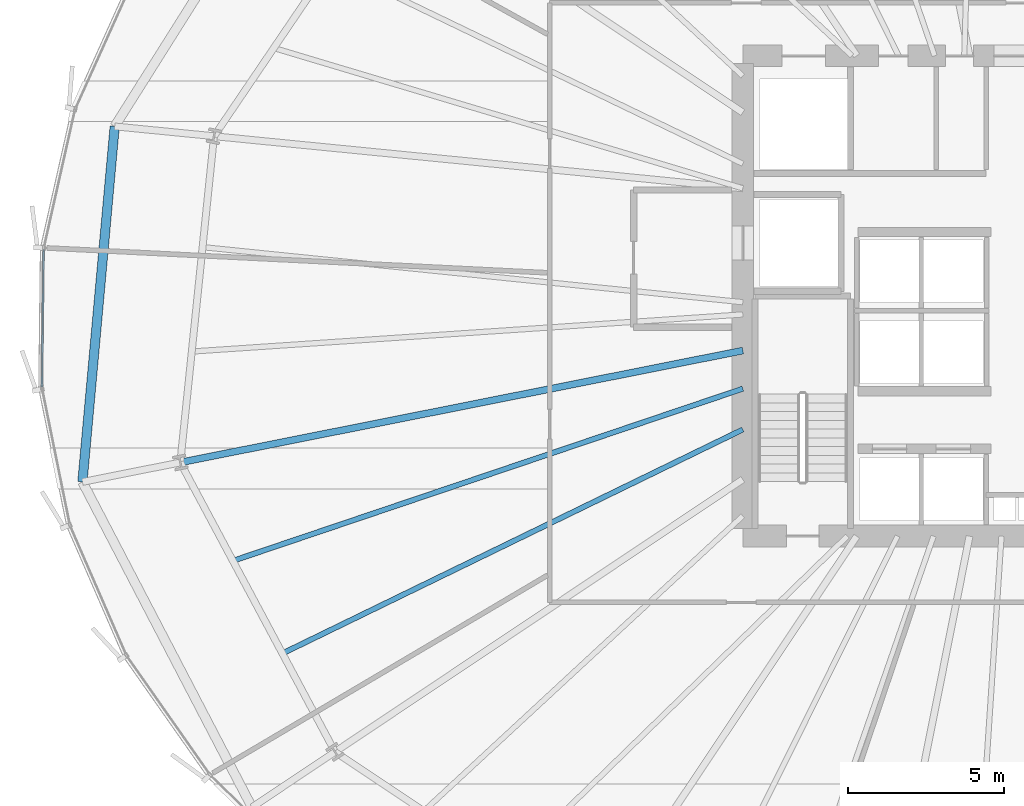
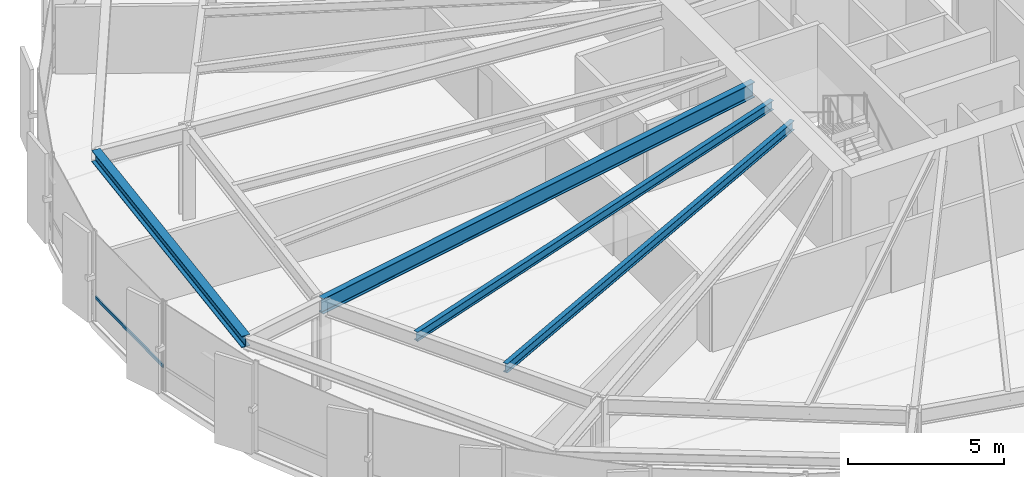
# One storey, part 8 of 38: 4 beams, 1 member, 1 element without a shape of its own.
"""IFC4 building model written with IfcOpenShell, lengths in metres."""

from ifc_helpers import new_model, si_unit, direction, frame, origin, origin_2d, place, context, subcontext, project, spatial, hollow_rectangle, i_section, extrude, source, transform, mapped, material, layer, layer_set, material_profile, profile_set, type_object, element, aggregate, save


model = new_model("IFC4")

# Units and contexts
model_context = context("Model", 3, precision=1e-05, world=origin(), true_north=direction((0.0, 1.0)))
body_context = subcontext(model_context, "Body", "Model", "MODEL_VIEW")
ifc_project = project(units=[si_unit("LENGTHUNIT", "METRE"), si_unit("AREAUNIT", "SQUARE_METRE"), si_unit("VOLUMEUNIT", "CUBIC_METRE"), si_unit("PLANEANGLEUNIT", "RADIAN"), si_unit("MASSUNIT", "GRAM", prefix="KILO"), si_unit("THERMODYNAMICTEMPERATUREUNIT", "KELVIN")], contexts=[model_context])

# Site, building, storey
site_placement = place(None, origin())
site = spatial("IfcSite", under=ifc_project, at=site_placement, CompositionType="ELEMENT")
building_placement = place(site_placement, origin())
building = spatial("IfcBuilding", under=site, at=building_placement, Name="Kethvar Cultural Tower", CompositionType="ELEMENT")
storey_placement = place(building_placement, frame((0.0, 0.0, 52.39990234375)))
storey = spatial("IfcBuildingStorey", under=building, at=storey_placement, Name="L12", CompositionType="ELEMENT", Elevation=52.39990234375)

# Beams
ifc_material_1 = material(Name="Steel S355J2", Category="steel")
ifc_material_profile_1 = material_profile(ifc_material_1, i_section(OverallWidth=0.219970703125, OverallDepth=0.60009765625, WebThickness=0.011962890625, FlangeThickness=0.01904296875, FilletRadius=0.02392578125, at=origin_2d()), Name="Steel S355J2 — IPE600")
ifc_profile_set_1 = profile_set([ifc_material_profile_1], Name="Steel S355J2 — IPE600")
beam_type_1 = type_object("IfcBeamType", Name="BM-IPE600", PredefinedType="BEAM", material=ifc_profile_set_1)
shared_shape_1 = source(origin(), body_context, "Body", "SweptSolid", [
    extrude(i_section(OverallWidth=0.219970703125, OverallDepth=0.60009765625, WebThickness=0.011962890625, FlangeThickness=0.01904296875, FilletRadius=0.02392578125, at=origin_2d()), origin(), (0.0, 0.0, 1.0), 18.387451171875),
])
beam_1_placement = place(storey_placement, frame((38.0, 26.049560546875, 3.248046875), z_axis=(-0.980785937774, -0.195087017162, 0.0), x_axis=(0.195087017162, -0.980785937774, 0.0)))
element("IfcBeam", 1, at=beam_1_placement, inside=storey, type_object=beam_type_1, Name="L12 Primary Radial Beam RB-09", PredefinedType="BEAM", context=body_context, shape_type="MappedRepresentation", body=[
    mapped(shared_shape_1, transform((0.0, 0.0, 0.0), scale=1.0)),
])
ifc_material_profile_2 = material_profile(ifc_material_1, i_section(OverallWidth=0.300048828125, OverallDepth=0.449951171875, WebThickness=0.013916015625, FlangeThickness=0.02587890625, FilletRadius=0.027099609375, at=origin_2d()), Name="Steel S355J2 — HEB450")
ifc_profile_set_2 = profile_set([ifc_material_profile_2], Name="Steel S355J2 — HEB450")
beam_type_2 = type_object("IfcBeamType", Name="BM-SP450", PredefinedType="SPANDREL", material=ifc_profile_set_2)
shared_shape_2 = source(origin(), body_context, "Body", "SweptSolid", [
    extrude(i_section(OverallWidth=0.300048828125, OverallDepth=0.449951171875, WebThickness=0.013916015625, FlangeThickness=0.02587890625, FilletRadius=0.027099609375, at=origin_2d()), origin(), (0.0, 0.0, 1.0), 11.445556640625),
])
beam_2_placement = place(storey_placement, frame((17.862548828125, 33.23681640625, 3.322998046875), z_axis=(-0.090441506594, -0.995901769195, 0.0), x_axis=(0.995901769195, -0.090441506594, 0.0)))
element("IfcBeam", 2, at=beam_2_placement, inside=storey, type_object=beam_type_2, Name="L12 Perimeter Spandrel Beam SP-08", PredefinedType="SPANDREL", context=body_context, shape_type="MappedRepresentation", body=[
    mapped(shared_shape_2, transform((0.0, 0.0, 0.0), scale=1.0)),
])
ifc_material_profile_3 = material_profile(ifc_material_1, i_section(OverallWidth=0.169921875, OverallDepth=0.360107421875, WebThickness=0.008056640625, FlangeThickness=0.0126953125, FilletRadius=0.01806640625, at=origin_2d()), Name="Steel S355J2 — IPE360")
ifc_profile_set_3 = profile_set([ifc_material_profile_3], Name="Steel S355J2 — IPE360")
beam_type_3 = type_object("IfcBeamType", Name="BM-J360", PredefinedType="JOIST", material=ifc_profile_set_3)
shared_shape_3 = source(origin(), body_context, "Body", "SweptSolid", [
    extrude(i_section(OverallWidth=0.169921875, OverallDepth=0.360107421875, WebThickness=0.008056640625, FlangeThickness=0.0126953125, FilletRadius=0.01806640625, at=origin_2d()), origin(), (0.0, 0.0, 1.0), 17.255126953125),
])
beam_3_placement = place(storey_placement, frame((38.0, 24.828369140625, 3.3681640625), z_axis=(-0.947435140552, -0.319947893332, 0.0), x_axis=(0.319947893332, -0.947435140552, 0.0)))
element("IfcBeam", 3, at=beam_3_placement, inside=storey, type_object=beam_type_3, Name="L12 Composite Floor Joist J-09A", PredefinedType="JOIST", context=body_context, shape_type="MappedRepresentation", body=[
    mapped(shared_shape_3, transform((0.0, 0.0, 0.0), scale=1.0)),
])
shared_shape_4 = source(origin(), body_context, "Body", "SweptSolid", [
    extrude(i_section(OverallWidth=0.169921875, OverallDepth=0.360107421875, WebThickness=0.008056640625, FlangeThickness=0.0126953125, FilletRadius=0.01806640625, at=origin_2d()), origin(), (0.0, 0.0, 1.0), 16.4150390625),
])
beam_4_placement = place(storey_placement, frame((38.0, 23.51904296875, 3.3681640625), z_axis=(-0.899246473736, -0.437442315595, 0.0), x_axis=(0.437442315595, -0.899246473736, 0.0)))
element("IfcBeam", 4, at=beam_4_placement, inside=storey, type_object=beam_type_3, Name="L12 Composite Floor Joist J-09B", PredefinedType="JOIST", context=body_context, shape_type="MappedRepresentation", body=[
    mapped(shared_shape_4, transform((0.0, 0.0, 0.0), scale=1.0)),
])

# Curtain wall, member
ifc_material_2 = material(Name="Aluminium 6063-T6", Category="aluminium")
ifc_layer = layer(ifc_material_2, 0.179931640625, Name="Aluminium 6063-T6", Category="aluminium")
ifc_layer_set = layer_set([ifc_layer], Name="Aluminium 6063-T6 (180 mm)")
curtain_wall_type = type_object("IfcCurtainWallType", Name="CW-SYS-02-Z1", PredefinedType="NOTDEFINED", material=ifc_layer_set)
curtain_wall_placement = place(storey_placement, origin())
curtain_wall = element("IfcCurtainWall", 5, at=curtain_wall_placement, inside=storey, type_object=curtain_wall_type, Name="L12 Curtain Wall Run 03", PredefinedType="NOTDEFINED")
ifc_material_profile_4 = material_profile(ifc_material_2, hollow_rectangle(XDim=0.054931640625, YDim=0.1201171875, WallThickness=0.00390625, at=origin_2d()), Name="Aluminium 6063-T6 — RHS120x55x4")
ifc_profile_set_4 = profile_set([ifc_material_profile_4], Name="Aluminium 6063-T6 — RHS120x55x4")
member_type = type_object("IfcMemberType", Name="CW-SYS-02-Z1-TRN", PredefinedType="USERDEFINED", material=ifc_profile_set_4)
shared_shape_5 = source(origin(), body_context, "Body", "SweptSolid", [
    extrude(hollow_rectangle(XDim=0.054931640625, YDim=0.1201171875, WallThickness=0.00390625, at=origin_2d()), origin(), (0.0, 0.0, 1.0), 4.420166015625),
])
member_placement = place(storey_placement, frame((15.583984375, 29.298095703125, 0.9501953125), z_axis=(-0.012040664873, -0.999927508567, 0.0), x_axis=(0.999927508567, -0.012040664873, 0.0)))
member = element("IfcMember", 6, at=member_placement, type_object=member_type, Name="CW-L12-R03 Transom 6", ObjectType="TRANSOM", PredefinedType="USERDEFINED", context=body_context, shape_type="MappedRepresentation", body=[
    mapped(shared_shape_5, transform((0.0, 0.0, 0.0), scale=1.0)),
])
aggregate(curtain_wall, [member])

save(model, "model.ifc")
